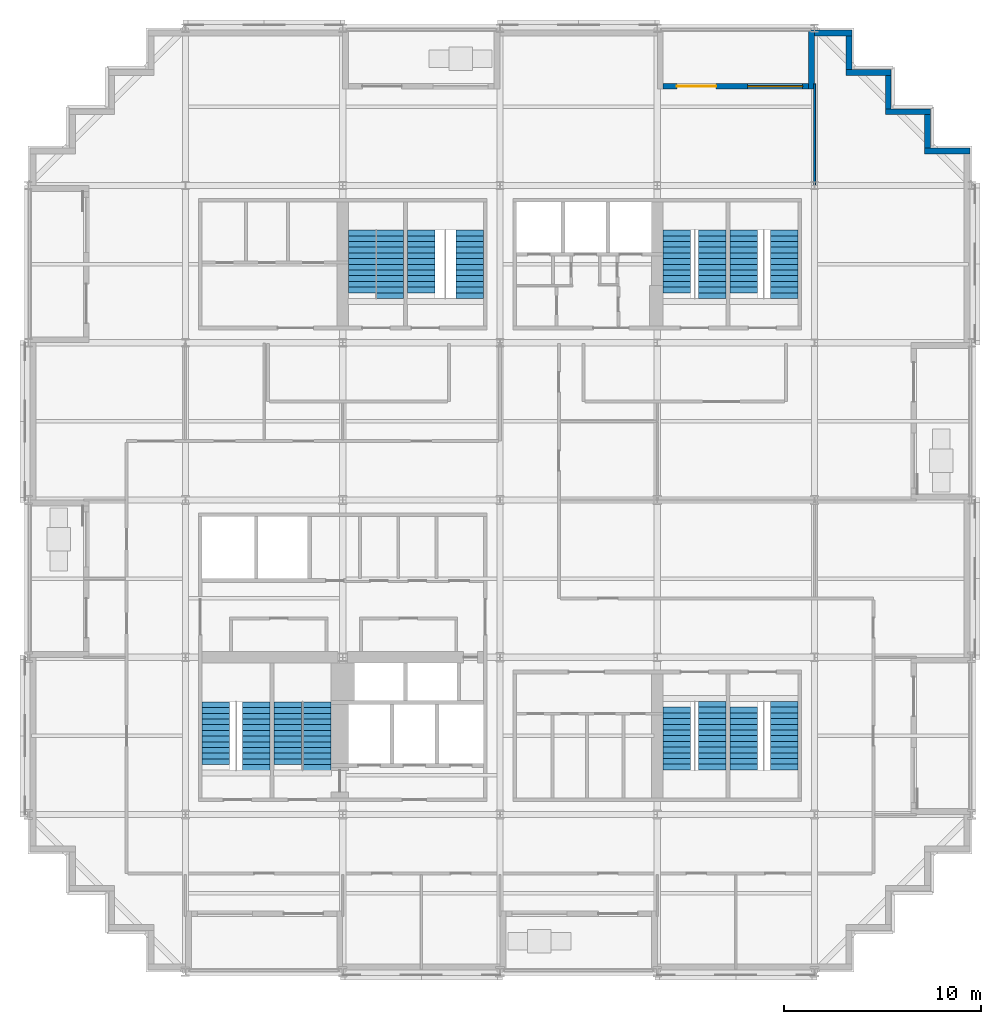
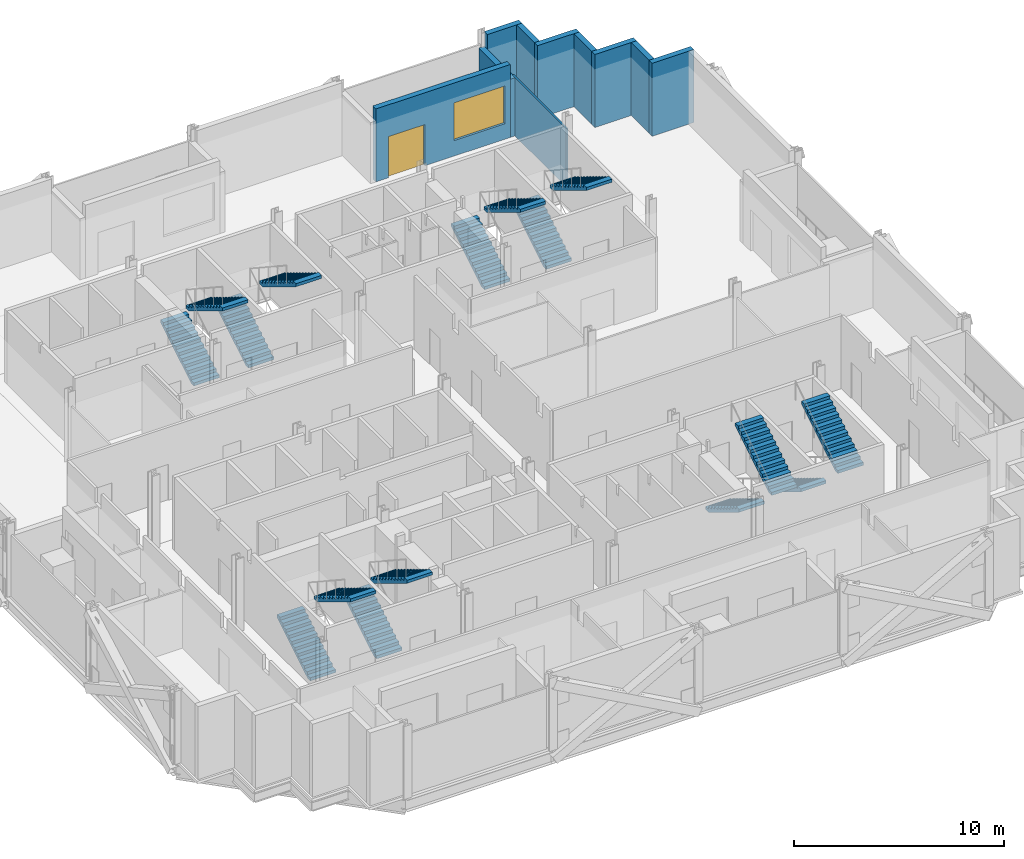
# One storey, part 10 of 14: 16 stair flights, 10 walls, 1 door, 1 window, 2 openings, 8 elements without a shape of their own.
"""IFC4 building model written with IfcOpenShell, lengths in metres."""

from ifc_helpers import new_model, si_unit, direction, frame, frame_2d, origin, place, context, subcontext, project, spatial, polyline, rectangle, outline, extrude, material, layer, layer_set, type_object, element, fill, aggregate, save


model = new_model("IFC4")

# Units and contexts
model_context = context("Model", 3, precision=1e-05, world=origin(), true_north=direction((0.0, 1.0)))
body_context = subcontext(model_context, "Body", "Model", "MODEL_VIEW")
ifc_project = project(units=[si_unit("LENGTHUNIT", "METRE"), si_unit("AREAUNIT", "SQUARE_METRE"), si_unit("VOLUMEUNIT", "CUBIC_METRE"), si_unit("PLANEANGLEUNIT", "RADIAN"), si_unit("MASSUNIT", "GRAM", prefix="KILO")], contexts=[model_context])

# Site, building, storey
site_placement = place(None, origin())
site = spatial("IfcSite", under=ifc_project, at=site_placement, CompositionType="ELEMENT")
building_placement = place(site_placement, origin())
building = spatial("IfcBuilding", under=site, at=building_placement, Name="Immortelle Media Tower", CompositionType="ELEMENT")
storey_placement = place(building_placement, frame((0.0, 0.0, 48.0)))
storey = spatial("IfcBuildingStorey", under=building, at=storey_placement, Name="L07", CompositionType="ELEMENT", Elevation=48.0)

# Walls
ifc_material_1 = material(Name="Pale aluminium cladding panel", Category="aluminium")
ifc_layer_1 = layer(ifc_material_1, 0.030029296875)
ifc_material_2 = material(Name="Steel ASTM A653 SS Gr 50 stud frame with mineral wool", Category="steel")
ifc_layer_2 = layer(ifc_material_2, 0.257568359375)
ifc_material_3 = material(Name="Moisture-resistant gypsum board", Category="gypsum")
ifc_layer_3 = layer(ifc_material_3, 0.012451171875)
ifc_layer_set_1 = layer_set([ifc_layer_1, ifc_layer_2, ifc_layer_3], Name="Steel ASTM A653 SS Gr 50 stud frame with mineral wool")
wall_type_1 = type_object("IfcWallType", Name="Facade wall 300", PredefinedType="SOLIDWALL", material=ifc_layer_set_1)
wall_1_placement = place(storey_placement, frame((47.89990234375, 41.75, 0.0), z_axis=(0.0, 0.0, 1.0), x_axis=(-1.0, 0.0, 0.0)))
element("IfcWall", 1, at=wall_1_placement, inside=storey, type_object=wall_type_1, Name="Facade wall L07 N15", PredefinedType="SOLIDWALL", context=body_context, shape_type="SweptSolid", body=[
    extrude(rectangle(XDim=2.2998046875, YDim=0.300048828125, at=frame_2d((1.14990234375, 0.0))), origin(), (0.0, 0.0, 1.0), 4.25),
])
wall_2_placement = place(storey_placement, frame((45.75, 41.89990234375, 0.0), z_axis=(0.0, 0.0, 1.0), x_axis=(0.0, 1.0, 0.0)))
element("IfcWall", 2, at=wall_2_placement, inside=storey, type_object=wall_type_1, Name="Facade wall L07 E16", PredefinedType="SOLIDWALL", context=body_context, shape_type="SweptSolid", body=[
    extrude(rectangle(XDim=1.7001953125, YDim=0.300048828125, at=frame_2d((0.85009765625, 0.0))), origin(), (0.0, 0.0, 1.0), 4.25),
])
wall_3_placement = place(storey_placement, frame((45.89990234375, 43.75, 0.0), z_axis=(0.0, 0.0, 1.0), x_axis=(-1.0, 0.0, 0.0)))
element("IfcWall", 3, at=wall_3_placement, inside=storey, type_object=wall_type_1, Name="Facade wall L07 N17", PredefinedType="SOLIDWALL", context=body_context, shape_type="SweptSolid", body=[
    extrude(rectangle(XDim=2.2998046875, YDim=0.300048828125, at=frame_2d((1.14990234375, 0.0))), origin(), (0.0, 0.0, 1.0), 4.25),
])
wall_4_placement = place(storey_placement, frame((43.75, 43.89990234375, 0.0), z_axis=(0.0, 0.0, 1.0), x_axis=(0.0, 1.0, 0.0)))
element("IfcWall", 4, at=wall_4_placement, inside=storey, type_object=wall_type_1, Name="Facade wall L07 E18", PredefinedType="SOLIDWALL", context=body_context, shape_type="SweptSolid", body=[
    extrude(rectangle(XDim=1.7001953125, YDim=0.300048828125, at=frame_2d((0.85009765625, 0.0))), origin(), (0.0, 0.0, 1.0), 4.25),
])
wall_5_placement = place(storey_placement, frame((43.89990234375, 45.75, 0.0), z_axis=(0.0, 0.0, 1.0), x_axis=(-1.0, 0.0, 0.0)))
element("IfcWall", 5, at=wall_5_placement, inside=storey, type_object=wall_type_1, Name="Facade wall L07 N19", PredefinedType="SOLIDWALL", context=body_context, shape_type="SweptSolid", body=[
    extrude(rectangle(XDim=2.2998046875, YDim=0.300048828125, at=frame_2d((1.14990234375, 0.0))), origin(), (0.0, 0.0, 1.0), 4.25),
])
wall_6_placement = place(storey_placement, frame((41.75, 45.89990234375, 0.0), z_axis=(0.0, 0.0, 1.0), x_axis=(0.0, 1.0, 0.0)))
element("IfcWall", 6, at=wall_6_placement, inside=storey, type_object=wall_type_1, Name="Facade wall L07 E20", PredefinedType="SOLIDWALL", context=body_context, shape_type="SweptSolid", body=[
    extrude(rectangle(XDim=1.7001953125, YDim=0.300048828125, at=frame_2d((0.85009765625, 0.0))), origin(), (0.0, 0.0, 1.0), 4.25),
])
wall_7_placement = place(storey_placement, frame((41.89990234375, 47.75, 0.0), z_axis=(0.0, 0.0, 1.0), x_axis=(-1.0, 0.0, 0.0)))
element("IfcWall", 7, at=wall_7_placement, inside=storey, type_object=wall_type_1, Name="Facade wall L07 N21", PredefinedType="SOLIDWALL", context=body_context, shape_type="SweptSolid", body=[
    extrude(rectangle(XDim=1.89990234375, YDim=0.300048828125, at=frame_2d((0.949951171875, 0.0))), origin(), (0.0, 0.0, 1.0), 4.25),
])

# Wall, openings, door, window
wall_8_placement = place(storey_placement, frame((39.699951171875, 45.050048828125, 0.0), z_axis=(0.0, 0.0, 1.0), x_axis=(-1.0, 0.0, 0.0)))
wall_8 = element("IfcWall", 8, at=wall_8_placement, inside=storey, type_object=wall_type_1, Name="Loggia wall L07 N21", PredefinedType="SOLIDWALL", context=body_context, shape_type="SweptSolid", body=[
    extrude(rectangle(XDim=7.39990234375, YDim=0.300048828125, at=frame_2d((3.699951171875, 0.0))), origin(), (0.0, 0.0, 1.0), 4.25),
])
opening_1_placement = place(wall_8_placement, frame((0.300048828125, 0.0, 0.89990234375)))
opening_1 = element("IfcOpeningElement", 9, at=opening_1_placement, cuts=wall_8, Name="Opening W1", PredefinedType="OPENING", context=body_context, shape_type="SweptSolid", body=[
    extrude(rectangle(XDim=2.800048828125, YDim=2.199951171875, at=frame_2d((1.39990234375, 1.10009765625))), frame((0.0, 0.159912109375, 0.0), z_axis=(0.0, -1.0, 0.0), x_axis=(1.0, 0.0, 0.0)), (0.0, 0.0, 1.0), 0.320068359375),
])
opening_2_placement = place(wall_8_placement, frame((4.699951171875, 0.0, 0.0)))
opening_2 = element("IfcOpeningElement", 10, at=opening_2_placement, cuts=wall_8, Name="Opening N2-E007", PredefinedType="OPENING", context=body_context, shape_type="SweptSolid", body=[
    extrude(rectangle(XDim=2.0, YDim=2.39990234375, at=frame_2d((1.0, 1.199951171875))), frame((0.0, 0.159912109375, 0.0), z_axis=(0.0, -1.0, 0.0), x_axis=(1.0, 0.0, 0.0)), (0.0, 0.0, 1.0), 0.320068359375),
])
ifc_material_4 = material(Name="Aluminium frame, glazed leaves", Category="aluminium")
door_type = type_object("IfcDoorType", Name="Loggia door 2000 x 2400", OperationType="DOUBLE_DOOR_SINGLE_SWING", PredefinedType="DOOR", material=ifc_material_4)
door_placement = place(opening_2_placement, origin())
door = element("IfcDoor", 11, at=door_placement, inside=storey, type_object=door_type, Name="Door N2-E007", OperationType="DOUBLE_DOOR_SINGLE_SWING", OverallHeight=2.39990234375, OverallWidth=2.0, PredefinedType="DOOR", context=body_context, shape_type="SweptSolid", body=[
    extrude(rectangle(XDim=2.0, YDim=2.39990234375, at=frame_2d((1.0, 1.199951171875))), frame((0.0, 0.02490234375, 0.0), z_axis=(0.0, -1.0, 0.0), x_axis=(1.0, 0.0, 0.0)), (0.0, 0.0, 1.0), 0.050048828125),
])
fill(opening_2, door)
ifc_material_5 = material(Name="Aluminium frame", Category="aluminium")
window_type = type_object("IfcWindowType", Name="Window 2800 x 2200", PartitioningType="SINGLE_PANEL", PredefinedType="WINDOW", material=ifc_material_5)
window_placement = place(opening_1_placement, origin())
window = element("IfcWindow", 12, at=window_placement, inside=storey, type_object=window_type, Name="Window L07 L07-R21-B0", OverallHeight=2.199951171875, OverallWidth=2.800048828125, PartitioningType="SINGLE_PANEL", PredefinedType="WINDOW", context=body_context, shape_type="SweptSolid", body=[
    extrude(rectangle(XDim=2.800048828125, YDim=2.199951171875, at=frame_2d((1.39990234375, 1.10009765625))), frame((0.0, 0.030029296875, 0.0), z_axis=(0.0, -1.0, 0.0), x_axis=(1.0, 0.0, 0.0)), (0.0, 0.0, 1.0), 0.06005859375),
])
fill(opening_1, window)

# Walls
wall_9_placement = place(storey_placement, frame((39.85009765625, 47.89990234375, 0.0), z_axis=(0.0, 0.0, 1.0), x_axis=(0.0, -1.0, 0.0)))
element("IfcWall", 13, at=wall_9_placement, inside=storey, type_object=wall_type_1, Name="Loggia cheek wall L07 N", PredefinedType="SOLIDWALL", context=body_context, shape_type="SweptSolid", body=[
    extrude(rectangle(XDim=3.0, YDim=0.300048828125, at=frame_2d((1.5, 0.0))), origin(), (0.0, 0.0, 1.0), 3.389892578125),
])
ifc_material_6 = material(Name="Gypsum board", Category="gypsum")
ifc_layer_4 = layer(ifc_material_6, 0.012451171875)
ifc_layer_5 = layer(ifc_material_2, 0.074951171875)
ifc_layer_6 = layer(ifc_material_6, 0.012451171875)
ifc_layer_set_2 = layer_set([ifc_layer_4, ifc_layer_5, ifc_layer_6], Name="Steel ASTM A653 SS Gr 50 stud frame with mineral wool")
wall_type_2 = type_object("IfcWallType", Name="Partition 100", PredefinedType="PARTITIONING", material=ifc_layer_set_2)
wall_10_placement = place(storey_placement, frame((40.0, 40.030029296875, 0.0), z_axis=(0.0, 0.0, 1.0), x_axis=(0.0, 1.0, 0.0)))
element("IfcWall", 14, at=wall_10_placement, inside=storey, type_object=wall_type_2, Name="Partition L07-035", PredefinedType="PARTITIONING", context=body_context, shape_type="SweptSolid", body=[
    extrude(rectangle(XDim=5.139892578125, YDim=0.10009765625, at=frame_2d((2.56982421875, 0.0))), origin(), (0.0, 0.0, 1.0), 3.39111328125),
])

# Stair, stair flights
ifc_material_7 = material(Name="Steel ASTM A992 Gr 50", Category="steel")
stair_type = type_object("IfcStairType", Name="Stair with flights", PredefinedType="DOUBLE_RETURN_STAIR", material=ifc_material_7)
stair_1_placement = place(storey_placement, origin())
stair_1 = element("IfcStair", 15, at=stair_1_placement, inside=storey, type_object=stair_type, Name="Exit stair SW1", PredefinedType="DOUBLE_RETURN_STAIR")
stair_flight_type = type_object("IfcStairFlightType", Name="Stair flight 1400", PredefinedType="STRAIGHT", material=ifc_material_7)
stair_flight_1_placement = place(storey_placement, frame((9.550048828125, 10.5400390625, 0.0), z_axis=(0.0, 0.0, 1.0), x_axis=(0.0, 1.0, 0.0)))
stair_flight_1 = element("IfcStairFlight", 16, at=stair_flight_1_placement, type_object=stair_flight_type, Name="ST SW1 flight 1", NumberOfRisers=12, NumberOfTreads=11, PredefinedType="STRAIGHT", RiserHeight=0.176, TreadLength=0.29, context=body_context, shape_type="SweptSolid", body=[
    extrude(outline(polyline([(0.0, 0.0), (0.0, 0.176025390625), (0.2900390625, 0.176025390625), (0.2900390625, 0.35205078125), (0.580078125, 0.35205078125), (0.580078125, 0.528076171875), (0.8701171875, 0.528076171875), (0.8701171875, 0.7041015625), (1.159912109375, 0.7041015625), (1.159912109375, 0.8798828125), (1.449951171875, 0.8798828125), (1.449951171875, 1.055908203125), (1.739990234375, 1.055908203125), (1.739990234375, 1.23193359375), (2.030029296875, 1.23193359375), (2.030029296875, 1.407958984375), (2.320068359375, 1.407958984375), (2.320068359375, 1.583984375), (2.610107421875, 1.583984375), (2.610107421875, 1.760009765625), (2.89990234375, 1.760009765625), (2.89990234375, 1.93603515625), (3.18994140625, 1.93603515625), (3.18994140625, 2.112060546875), (3.18994140625, 1.7607421875), (0.288818359375, 0.0), (0.0, 0.0)])), frame((0.0, 0.699951171875, 0.0), z_axis=(0.0, -1.0, 0.0), x_axis=(1.0, 0.0, 0.0)), (0.0, 0.0, 1.0), 1.39990234375),
])
stair_flight_2_placement = place(storey_placement, frame((11.60009765625, 13.72998046875, 2.112060546875), z_axis=(0.0, 0.0, 1.0), x_axis=(0.0, -1.0, 0.0)))
stair_flight_2 = element("IfcStairFlight", 17, at=stair_flight_2_placement, type_object=stair_flight_type, Name="ST SW1 flight 2", NumberOfRisers=13, NumberOfTreads=12, PredefinedType="STRAIGHT", RiserHeight=0.176, TreadLength=0.29, context=body_context, shape_type="SweptSolid", body=[
    extrude(outline(polyline([(0.0, 0.0), (0.0, 0.176025390625), (0.2900390625, 0.176025390625), (0.2900390625, 0.35205078125), (0.580078125, 0.35205078125), (0.580078125, 0.528076171875), (0.8701171875, 0.528076171875), (0.8701171875, 0.7041015625), (1.159912109375, 0.7041015625), (1.159912109375, 0.8798828125), (1.449951171875, 0.8798828125), (1.449951171875, 1.055908203125), (1.739990234375, 1.055908203125), (1.739990234375, 1.23193359375), (2.030029296875, 1.23193359375), (2.030029296875, 1.407958984375), (2.320068359375, 1.407958984375), (2.320068359375, 1.583984375), (2.610107421875, 1.583984375), (2.610107421875, 1.760009765625), (2.89990234375, 1.760009765625), (2.89990234375, 1.93603515625), (3.18994140625, 1.93603515625), (3.18994140625, 2.112060546875), (3.47998046875, 2.112060546875), (3.47998046875, 2.2880859375), (3.47998046875, 1.936767578125), (0.288818359375, 0.0), (0.0, 0.0)])), frame((0.0, 0.699951171875, 0.0), z_axis=(0.0, -1.0, 0.0), x_axis=(1.0, 0.0, 0.0)), (0.0, 0.0, 1.0), 1.39990234375),
])
aggregate(stair_1, [stair_flight_1, stair_flight_2])

stair_2_placement = place(storey_placement, origin())
stair_2 = element("IfcStair", 18, at=stair_2_placement, inside=storey, type_object=stair_type, Name="Exit stair SW2", PredefinedType="DOUBLE_RETURN_STAIR")
stair_flight_3_placement = place(storey_placement, frame((13.199951171875, 10.5400390625, 0.0), z_axis=(0.0, 0.0, 1.0), x_axis=(0.0, 1.0, 0.0)))
stair_flight_3 = element("IfcStairFlight", 19, at=stair_flight_3_placement, type_object=stair_flight_type, Name="ST SW2 flight 1", NumberOfRisers=12, NumberOfTreads=11, PredefinedType="STRAIGHT", RiserHeight=0.176, TreadLength=0.29, context=body_context, shape_type="SweptSolid", body=[
    extrude(outline(polyline([(0.0, 0.0), (0.0, 0.176025390625), (0.2900390625, 0.176025390625), (0.2900390625, 0.35205078125), (0.580078125, 0.35205078125), (0.580078125, 0.528076171875), (0.8701171875, 0.528076171875), (0.8701171875, 0.7041015625), (1.159912109375, 0.7041015625), (1.159912109375, 0.8798828125), (1.449951171875, 0.8798828125), (1.449951171875, 1.055908203125), (1.739990234375, 1.055908203125), (1.739990234375, 1.23193359375), (2.030029296875, 1.23193359375), (2.030029296875, 1.407958984375), (2.320068359375, 1.407958984375), (2.320068359375, 1.583984375), (2.610107421875, 1.583984375), (2.610107421875, 1.760009765625), (2.89990234375, 1.760009765625), (2.89990234375, 1.93603515625), (3.18994140625, 1.93603515625), (3.18994140625, 2.112060546875), (3.18994140625, 1.7607421875), (0.288818359375, 0.0), (0.0, 0.0)])), frame((0.0, 0.699951171875, 0.0), z_axis=(0.0, -1.0, 0.0), x_axis=(1.0, 0.0, 0.0)), (0.0, 0.0, 1.0), 1.39990234375),
])
stair_flight_4_placement = place(storey_placement, frame((14.699951171875, 13.72998046875, 2.112060546875), z_axis=(0.0, 0.0, 1.0), x_axis=(0.0, -1.0, 0.0)))
stair_flight_4 = element("IfcStairFlight", 20, at=stair_flight_4_placement, type_object=stair_flight_type, Name="ST SW2 flight 2", NumberOfRisers=13, NumberOfTreads=12, PredefinedType="STRAIGHT", RiserHeight=0.176, TreadLength=0.29, context=body_context, shape_type="SweptSolid", body=[
    extrude(outline(polyline([(0.0, 0.0), (0.0, 0.176025390625), (0.2900390625, 0.176025390625), (0.2900390625, 0.35205078125), (0.580078125, 0.35205078125), (0.580078125, 0.528076171875), (0.8701171875, 0.528076171875), (0.8701171875, 0.7041015625), (1.159912109375, 0.7041015625), (1.159912109375, 0.8798828125), (1.449951171875, 0.8798828125), (1.449951171875, 1.055908203125), (1.739990234375, 1.055908203125), (1.739990234375, 1.23193359375), (2.030029296875, 1.23193359375), (2.030029296875, 1.407958984375), (2.320068359375, 1.407958984375), (2.320068359375, 1.583984375), (2.610107421875, 1.583984375), (2.610107421875, 1.760009765625), (2.89990234375, 1.760009765625), (2.89990234375, 1.93603515625), (3.18994140625, 1.93603515625), (3.18994140625, 2.112060546875), (3.47998046875, 2.112060546875), (3.47998046875, 2.2880859375), (3.47998046875, 1.936767578125), (0.288818359375, 0.0), (0.0, 0.0)])), frame((0.0, 0.699951171875, 0.0), z_axis=(0.0, -1.0, 0.0), x_axis=(1.0, 0.0, 0.0)), (0.0, 0.0, 1.0), 1.39990234375),
])
aggregate(stair_2, [stair_flight_3, stair_flight_4])

stair_3_placement = place(storey_placement, origin())
stair_3 = element("IfcStair", 21, at=stair_3_placement, inside=storey, type_object=stair_type, Name="Exit stair SE1", PredefinedType="DOUBLE_RETURN_STAIR")
stair_flight_5_placement = place(storey_placement, frame((33.0, 13.4599609375, 0.0), z_axis=(0.0, 0.0, 1.0), x_axis=(0.0, -1.0, 0.0)))
stair_flight_5 = element("IfcStairFlight", 22, at=stair_flight_5_placement, type_object=stair_flight_type, Name="ST SE1 flight 1", NumberOfRisers=12, NumberOfTreads=11, PredefinedType="STRAIGHT", RiserHeight=0.176, TreadLength=0.29, context=body_context, shape_type="SweptSolid", body=[
    extrude(outline(polyline([(0.0, 0.0), (0.0, 0.176025390625), (0.2900390625, 0.176025390625), (0.2900390625, 0.35205078125), (0.580078125, 0.35205078125), (0.580078125, 0.528076171875), (0.8701171875, 0.528076171875), (0.8701171875, 0.7041015625), (1.159912109375, 0.7041015625), (1.159912109375, 0.8798828125), (1.449951171875, 0.8798828125), (1.449951171875, 1.055908203125), (1.739990234375, 1.055908203125), (1.739990234375, 1.23193359375), (2.030029296875, 1.23193359375), (2.030029296875, 1.407958984375), (2.320068359375, 1.407958984375), (2.320068359375, 1.583984375), (2.610107421875, 1.583984375), (2.610107421875, 1.760009765625), (2.89990234375, 1.760009765625), (2.89990234375, 1.93603515625), (3.18994140625, 1.93603515625), (3.18994140625, 2.112060546875), (3.18994140625, 1.7607421875), (0.288818359375, 0.0), (0.0, 0.0)])), frame((0.0, 0.699951171875, 0.0), z_axis=(0.0, -1.0, 0.0), x_axis=(1.0, 0.0, 0.0)), (0.0, 0.0, 1.0), 1.39990234375),
])
stair_flight_6_placement = place(storey_placement, frame((34.800048828125, 10.27001953125, 2.112060546875), z_axis=(0.0, 0.0, 1.0), x_axis=(0.0, 1.0, 0.0)))
stair_flight_6 = element("IfcStairFlight", 23, at=stair_flight_6_placement, type_object=stair_flight_type, Name="ST SE1 flight 2", NumberOfRisers=13, NumberOfTreads=12, PredefinedType="STRAIGHT", RiserHeight=0.176, TreadLength=0.29, context=body_context, shape_type="SweptSolid", body=[
    extrude(outline(polyline([(0.0, 0.0), (0.0, 0.176025390625), (0.2900390625, 0.176025390625), (0.2900390625, 0.35205078125), (0.580078125, 0.35205078125), (0.580078125, 0.528076171875), (0.8701171875, 0.528076171875), (0.8701171875, 0.7041015625), (1.159912109375, 0.7041015625), (1.159912109375, 0.8798828125), (1.449951171875, 0.8798828125), (1.449951171875, 1.055908203125), (1.739990234375, 1.055908203125), (1.739990234375, 1.23193359375), (2.030029296875, 1.23193359375), (2.030029296875, 1.407958984375), (2.320068359375, 1.407958984375), (2.320068359375, 1.583984375), (2.610107421875, 1.583984375), (2.610107421875, 1.760009765625), (2.89990234375, 1.760009765625), (2.89990234375, 1.93603515625), (3.18994140625, 1.93603515625), (3.18994140625, 2.112060546875), (3.47998046875, 2.112060546875), (3.47998046875, 2.2880859375), (3.47998046875, 1.936767578125), (0.288818359375, 0.0), (0.0, 0.0)])), frame((0.0, 0.699951171875, 0.0), z_axis=(0.0, -1.0, 0.0), x_axis=(1.0, 0.0, 0.0)), (0.0, 0.0, 1.0), 1.39990234375),
])
aggregate(stair_3, [stair_flight_5, stair_flight_6])

stair_4_placement = place(storey_placement, origin())
stair_4 = element("IfcStair", 24, at=stair_4_placement, inside=storey, type_object=stair_type, Name="Exit stair SE2", PredefinedType="DOUBLE_RETURN_STAIR")
stair_flight_7_placement = place(storey_placement, frame((36.39990234375, 13.4599609375, 0.0), z_axis=(0.0, 0.0, 1.0), x_axis=(0.0, -1.0, 0.0)))
stair_flight_7 = element("IfcStairFlight", 25, at=stair_flight_7_placement, type_object=stair_flight_type, Name="ST SE2 flight 1", NumberOfRisers=12, NumberOfTreads=11, PredefinedType="STRAIGHT", RiserHeight=0.176, TreadLength=0.29, context=body_context, shape_type="SweptSolid", body=[
    extrude(outline(polyline([(0.0, 0.0), (0.0, 0.176025390625), (0.2900390625, 0.176025390625), (0.2900390625, 0.35205078125), (0.580078125, 0.35205078125), (0.580078125, 0.528076171875), (0.8701171875, 0.528076171875), (0.8701171875, 0.7041015625), (1.159912109375, 0.7041015625), (1.159912109375, 0.8798828125), (1.449951171875, 0.8798828125), (1.449951171875, 1.055908203125), (1.739990234375, 1.055908203125), (1.739990234375, 1.23193359375), (2.030029296875, 1.23193359375), (2.030029296875, 1.407958984375), (2.320068359375, 1.407958984375), (2.320068359375, 1.583984375), (2.610107421875, 1.583984375), (2.610107421875, 1.760009765625), (2.89990234375, 1.760009765625), (2.89990234375, 1.93603515625), (3.18994140625, 1.93603515625), (3.18994140625, 2.112060546875), (3.18994140625, 1.7607421875), (0.288818359375, 0.0), (0.0, 0.0)])), frame((0.0, 0.699951171875, 0.0), z_axis=(0.0, -1.0, 0.0), x_axis=(1.0, 0.0, 0.0)), (0.0, 0.0, 1.0), 1.39990234375),
])
stair_flight_8_placement = place(storey_placement, frame((38.449951171875, 10.27001953125, 2.112060546875), z_axis=(0.0, 0.0, 1.0), x_axis=(0.0, 1.0, 0.0)))
stair_flight_8 = element("IfcStairFlight", 26, at=stair_flight_8_placement, type_object=stair_flight_type, Name="ST SE2 flight 2", NumberOfRisers=13, NumberOfTreads=12, PredefinedType="STRAIGHT", RiserHeight=0.176, TreadLength=0.29, context=body_context, shape_type="SweptSolid", body=[
    extrude(outline(polyline([(0.0, 0.0), (0.0, 0.176025390625), (0.2900390625, 0.176025390625), (0.2900390625, 0.35205078125), (0.580078125, 0.35205078125), (0.580078125, 0.528076171875), (0.8701171875, 0.528076171875), (0.8701171875, 0.7041015625), (1.159912109375, 0.7041015625), (1.159912109375, 0.8798828125), (1.449951171875, 0.8798828125), (1.449951171875, 1.055908203125), (1.739990234375, 1.055908203125), (1.739990234375, 1.23193359375), (2.030029296875, 1.23193359375), (2.030029296875, 1.407958984375), (2.320068359375, 1.407958984375), (2.320068359375, 1.583984375), (2.610107421875, 1.583984375), (2.610107421875, 1.760009765625), (2.89990234375, 1.760009765625), (2.89990234375, 1.93603515625), (3.18994140625, 1.93603515625), (3.18994140625, 2.112060546875), (3.47998046875, 2.112060546875), (3.47998046875, 2.2880859375), (3.47998046875, 1.936767578125), (0.288818359375, 0.0), (0.0, 0.0)])), frame((0.0, 0.699951171875, 0.0), z_axis=(0.0, -1.0, 0.0), x_axis=(1.0, 0.0, 0.0)), (0.0, 0.0, 1.0), 1.39990234375),
])
aggregate(stair_4, [stair_flight_7, stair_flight_8])

stair_5_placement = place(storey_placement, origin())
stair_5 = element("IfcStair", 27, at=stair_5_placement, inside=storey, type_object=stair_type, Name="Exit stair NW1", PredefinedType="DOUBLE_RETURN_STAIR")
stair_flight_9_placement = place(storey_placement, frame((17.0, 34.5400390625, 0.0), z_axis=(0.0, 0.0, 1.0), x_axis=(0.0, 1.0, 0.0)))
stair_flight_9 = element("IfcStairFlight", 28, at=stair_flight_9_placement, type_object=stair_flight_type, Name="ST NW1 flight 1", NumberOfRisers=12, NumberOfTreads=11, PredefinedType="STRAIGHT", RiserHeight=0.176, TreadLength=0.29, context=body_context, shape_type="SweptSolid", body=[
    extrude(outline(polyline([(0.0, 0.0), (0.0, 0.176025390625), (0.2900390625, 0.176025390625), (0.2900390625, 0.35205078125), (0.580078125, 0.35205078125), (0.580078125, 0.528076171875), (0.8701171875, 0.528076171875), (0.8701171875, 0.7041015625), (1.159912109375, 0.7041015625), (1.159912109375, 0.8798828125), (1.449951171875, 0.8798828125), (1.449951171875, 1.055908203125), (1.739990234375, 1.055908203125), (1.739990234375, 1.23193359375), (2.030029296875, 1.23193359375), (2.030029296875, 1.407958984375), (2.320068359375, 1.407958984375), (2.320068359375, 1.583984375), (2.610107421875, 1.583984375), (2.610107421875, 1.760009765625), (2.89990234375, 1.760009765625), (2.89990234375, 1.93603515625), (3.18994140625, 1.93603515625), (3.18994140625, 2.112060546875), (3.18994140625, 1.7607421875), (0.288818359375, 0.0), (0.0, 0.0)])), frame((0.0, 0.699951171875, 0.0), z_axis=(0.0, -1.0, 0.0), x_axis=(1.0, 0.0, 0.0)), (0.0, 0.0, 1.0), 1.39990234375),
])
stair_flight_10_placement = place(storey_placement, frame((18.39990234375, 37.72998046875, 2.112060546875), z_axis=(0.0, 0.0, 1.0), x_axis=(0.0, -1.0, 0.0)))
stair_flight_10 = element("IfcStairFlight", 29, at=stair_flight_10_placement, type_object=stair_flight_type, Name="ST NW1 flight 2", NumberOfRisers=13, NumberOfTreads=12, PredefinedType="STRAIGHT", RiserHeight=0.176, TreadLength=0.29, context=body_context, shape_type="SweptSolid", body=[
    extrude(outline(polyline([(0.0, 0.0), (0.0, 0.176025390625), (0.2900390625, 0.176025390625), (0.2900390625, 0.35205078125), (0.580078125, 0.35205078125), (0.580078125, 0.528076171875), (0.8701171875, 0.528076171875), (0.8701171875, 0.7041015625), (1.159912109375, 0.7041015625), (1.159912109375, 0.8798828125), (1.449951171875, 0.8798828125), (1.449951171875, 1.055908203125), (1.739990234375, 1.055908203125), (1.739990234375, 1.23193359375), (2.030029296875, 1.23193359375), (2.030029296875, 1.407958984375), (2.320068359375, 1.407958984375), (2.320068359375, 1.583984375), (2.610107421875, 1.583984375), (2.610107421875, 1.760009765625), (2.89990234375, 1.760009765625), (2.89990234375, 1.93603515625), (3.18994140625, 1.93603515625), (3.18994140625, 2.112060546875), (3.47998046875, 2.112060546875), (3.47998046875, 2.2880859375), (3.47998046875, 1.936767578125), (0.288818359375, 0.0), (0.0, 0.0)])), frame((0.0, 0.699951171875, 0.0), z_axis=(0.0, -1.0, 0.0), x_axis=(1.0, 0.0, 0.0)), (0.0, 0.0, 1.0), 1.39990234375),
])
aggregate(stair_5, [stair_flight_9, stair_flight_10])

stair_6_placement = place(storey_placement, origin())
stair_6 = element("IfcStair", 30, at=stair_6_placement, inside=storey, type_object=stair_type, Name="Exit stair NW2", PredefinedType="DOUBLE_RETURN_STAIR")
stair_flight_11_placement = place(storey_placement, frame((20.0, 34.5400390625, 0.0), z_axis=(0.0, 0.0, 1.0), x_axis=(0.0, 1.0, 0.0)))
stair_flight_11 = element("IfcStairFlight", 31, at=stair_flight_11_placement, type_object=stair_flight_type, Name="ST NW2 flight 1", NumberOfRisers=12, NumberOfTreads=11, PredefinedType="STRAIGHT", RiserHeight=0.176, TreadLength=0.29, context=body_context, shape_type="SweptSolid", body=[
    extrude(outline(polyline([(0.0, 0.0), (0.0, 0.176025390625), (0.2900390625, 0.176025390625), (0.2900390625, 0.35205078125), (0.580078125, 0.35205078125), (0.580078125, 0.528076171875), (0.8701171875, 0.528076171875), (0.8701171875, 0.7041015625), (1.159912109375, 0.7041015625), (1.159912109375, 0.8798828125), (1.449951171875, 0.8798828125), (1.449951171875, 1.055908203125), (1.739990234375, 1.055908203125), (1.739990234375, 1.23193359375), (2.030029296875, 1.23193359375), (2.030029296875, 1.407958984375), (2.320068359375, 1.407958984375), (2.320068359375, 1.583984375), (2.610107421875, 1.583984375), (2.610107421875, 1.760009765625), (2.89990234375, 1.760009765625), (2.89990234375, 1.93603515625), (3.18994140625, 1.93603515625), (3.18994140625, 2.112060546875), (3.18994140625, 1.7607421875), (0.288818359375, 0.0), (0.0, 0.0)])), frame((0.0, 0.699951171875, 0.0), z_axis=(0.0, -1.0, 0.0), x_axis=(1.0, 0.0, 0.0)), (0.0, 0.0, 1.0), 1.39990234375),
])
stair_flight_12_placement = place(storey_placement, frame((22.449951171875, 37.72998046875, 2.112060546875), z_axis=(0.0, 0.0, 1.0), x_axis=(0.0, -1.0, 0.0)))
stair_flight_12 = element("IfcStairFlight", 32, at=stair_flight_12_placement, type_object=stair_flight_type, Name="ST NW2 flight 2", NumberOfRisers=13, NumberOfTreads=12, PredefinedType="STRAIGHT", RiserHeight=0.176, TreadLength=0.29, context=body_context, shape_type="SweptSolid", body=[
    extrude(outline(polyline([(0.0, 0.0), (0.0, 0.176025390625), (0.2900390625, 0.176025390625), (0.2900390625, 0.35205078125), (0.580078125, 0.35205078125), (0.580078125, 0.528076171875), (0.8701171875, 0.528076171875), (0.8701171875, 0.7041015625), (1.159912109375, 0.7041015625), (1.159912109375, 0.8798828125), (1.449951171875, 0.8798828125), (1.449951171875, 1.055908203125), (1.739990234375, 1.055908203125), (1.739990234375, 1.23193359375), (2.030029296875, 1.23193359375), (2.030029296875, 1.407958984375), (2.320068359375, 1.407958984375), (2.320068359375, 1.583984375), (2.610107421875, 1.583984375), (2.610107421875, 1.760009765625), (2.89990234375, 1.760009765625), (2.89990234375, 1.93603515625), (3.18994140625, 1.93603515625), (3.18994140625, 2.112060546875), (3.47998046875, 2.112060546875), (3.47998046875, 2.2880859375), (3.47998046875, 1.936767578125), (0.288818359375, 0.0), (0.0, 0.0)])), frame((0.0, 0.699951171875, 0.0), z_axis=(0.0, -1.0, 0.0), x_axis=(1.0, 0.0, 0.0)), (0.0, 0.0, 1.0), 1.39990234375),
])
aggregate(stair_6, [stair_flight_11, stair_flight_12])

stair_7_placement = place(storey_placement, origin())
stair_7 = element("IfcStair", 33, at=stair_7_placement, inside=storey, type_object=stair_type, Name="Exit stair NE1", PredefinedType="DOUBLE_RETURN_STAIR")
stair_flight_13_placement = place(storey_placement, frame((33.0, 34.5400390625, 0.0), z_axis=(0.0, 0.0, 1.0), x_axis=(0.0, 1.0, 0.0)))
stair_flight_13 = element("IfcStairFlight", 34, at=stair_flight_13_placement, type_object=stair_flight_type, Name="ST NE1 flight 1", NumberOfRisers=12, NumberOfTreads=11, PredefinedType="STRAIGHT", RiserHeight=0.176, TreadLength=0.29, context=body_context, shape_type="SweptSolid", body=[
    extrude(outline(polyline([(0.0, 0.0), (0.0, 0.176025390625), (0.2900390625, 0.176025390625), (0.2900390625, 0.35205078125), (0.580078125, 0.35205078125), (0.580078125, 0.528076171875), (0.8701171875, 0.528076171875), (0.8701171875, 0.7041015625), (1.159912109375, 0.7041015625), (1.159912109375, 0.8798828125), (1.449951171875, 0.8798828125), (1.449951171875, 1.055908203125), (1.739990234375, 1.055908203125), (1.739990234375, 1.23193359375), (2.030029296875, 1.23193359375), (2.030029296875, 1.407958984375), (2.320068359375, 1.407958984375), (2.320068359375, 1.583984375), (2.610107421875, 1.583984375), (2.610107421875, 1.760009765625), (2.89990234375, 1.760009765625), (2.89990234375, 1.93603515625), (3.18994140625, 1.93603515625), (3.18994140625, 2.112060546875), (3.18994140625, 1.7607421875), (0.288818359375, 0.0), (0.0, 0.0)])), frame((0.0, 0.699951171875, 0.0), z_axis=(0.0, -1.0, 0.0), x_axis=(1.0, 0.0, 0.0)), (0.0, 0.0, 1.0), 1.39990234375),
])
stair_flight_14_placement = place(storey_placement, frame((34.800048828125, 37.72998046875, 2.112060546875), z_axis=(0.0, 0.0, 1.0), x_axis=(0.0, -1.0, 0.0)))
stair_flight_14 = element("IfcStairFlight", 35, at=stair_flight_14_placement, type_object=stair_flight_type, Name="ST NE1 flight 2", NumberOfRisers=13, NumberOfTreads=12, PredefinedType="STRAIGHT", RiserHeight=0.176, TreadLength=0.29, context=body_context, shape_type="SweptSolid", body=[
    extrude(outline(polyline([(0.0, 0.0), (0.0, 0.176025390625), (0.2900390625, 0.176025390625), (0.2900390625, 0.35205078125), (0.580078125, 0.35205078125), (0.580078125, 0.528076171875), (0.8701171875, 0.528076171875), (0.8701171875, 0.7041015625), (1.159912109375, 0.7041015625), (1.159912109375, 0.8798828125), (1.449951171875, 0.8798828125), (1.449951171875, 1.055908203125), (1.739990234375, 1.055908203125), (1.739990234375, 1.23193359375), (2.030029296875, 1.23193359375), (2.030029296875, 1.407958984375), (2.320068359375, 1.407958984375), (2.320068359375, 1.583984375), (2.610107421875, 1.583984375), (2.610107421875, 1.760009765625), (2.89990234375, 1.760009765625), (2.89990234375, 1.93603515625), (3.18994140625, 1.93603515625), (3.18994140625, 2.112060546875), (3.47998046875, 2.112060546875), (3.47998046875, 2.2880859375), (3.47998046875, 1.936767578125), (0.288818359375, 0.0), (0.0, 0.0)])), frame((0.0, 0.699951171875, 0.0), z_axis=(0.0, -1.0, 0.0), x_axis=(1.0, 0.0, 0.0)), (0.0, 0.0, 1.0), 1.39990234375),
])
aggregate(stair_7, [stair_flight_13, stair_flight_14])

stair_8_placement = place(storey_placement, origin())
stair_8 = element("IfcStair", 36, at=stair_8_placement, inside=storey, type_object=stair_type, Name="Exit stair NE2", PredefinedType="DOUBLE_RETURN_STAIR")
stair_flight_15_placement = place(storey_placement, frame((36.39990234375, 34.5400390625, 0.0), z_axis=(0.0, 0.0, 1.0), x_axis=(0.0, 1.0, 0.0)))
stair_flight_15 = element("IfcStairFlight", 37, at=stair_flight_15_placement, type_object=stair_flight_type, Name="ST NE2 flight 1", NumberOfRisers=12, NumberOfTreads=11, PredefinedType="STRAIGHT", RiserHeight=0.176, TreadLength=0.29, context=body_context, shape_type="SweptSolid", body=[
    extrude(outline(polyline([(0.0, 0.0), (0.0, 0.176025390625), (0.2900390625, 0.176025390625), (0.2900390625, 0.35205078125), (0.580078125, 0.35205078125), (0.580078125, 0.528076171875), (0.8701171875, 0.528076171875), (0.8701171875, 0.7041015625), (1.159912109375, 0.7041015625), (1.159912109375, 0.8798828125), (1.449951171875, 0.8798828125), (1.449951171875, 1.055908203125), (1.739990234375, 1.055908203125), (1.739990234375, 1.23193359375), (2.030029296875, 1.23193359375), (2.030029296875, 1.407958984375), (2.320068359375, 1.407958984375), (2.320068359375, 1.583984375), (2.610107421875, 1.583984375), (2.610107421875, 1.760009765625), (2.89990234375, 1.760009765625), (2.89990234375, 1.93603515625), (3.18994140625, 1.93603515625), (3.18994140625, 2.112060546875), (3.18994140625, 1.7607421875), (0.288818359375, 0.0), (0.0, 0.0)])), frame((0.0, 0.699951171875, 0.0), z_axis=(0.0, -1.0, 0.0), x_axis=(1.0, 0.0, 0.0)), (0.0, 0.0, 1.0), 1.39990234375),
])
stair_flight_16_placement = place(storey_placement, frame((38.449951171875, 37.72998046875, 2.112060546875), z_axis=(0.0, 0.0, 1.0), x_axis=(0.0, -1.0, 0.0)))
stair_flight_16 = element("IfcStairFlight", 38, at=stair_flight_16_placement, type_object=stair_flight_type, Name="ST NE2 flight 2", NumberOfRisers=13, NumberOfTreads=12, PredefinedType="STRAIGHT", RiserHeight=0.176, TreadLength=0.29, context=body_context, shape_type="SweptSolid", body=[
    extrude(outline(polyline([(0.0, 0.0), (0.0, 0.176025390625), (0.2900390625, 0.176025390625), (0.2900390625, 0.35205078125), (0.580078125, 0.35205078125), (0.580078125, 0.528076171875), (0.8701171875, 0.528076171875), (0.8701171875, 0.7041015625), (1.159912109375, 0.7041015625), (1.159912109375, 0.8798828125), (1.449951171875, 0.8798828125), (1.449951171875, 1.055908203125), (1.739990234375, 1.055908203125), (1.739990234375, 1.23193359375), (2.030029296875, 1.23193359375), (2.030029296875, 1.407958984375), (2.320068359375, 1.407958984375), (2.320068359375, 1.583984375), (2.610107421875, 1.583984375), (2.610107421875, 1.760009765625), (2.89990234375, 1.760009765625), (2.89990234375, 1.93603515625), (3.18994140625, 1.93603515625), (3.18994140625, 2.112060546875), (3.47998046875, 2.112060546875), (3.47998046875, 2.2880859375), (3.47998046875, 1.936767578125), (0.288818359375, 0.0), (0.0, 0.0)])), frame((0.0, 0.699951171875, 0.0), z_axis=(0.0, -1.0, 0.0), x_axis=(1.0, 0.0, 0.0)), (0.0, 0.0, 1.0), 1.39990234375),
])
aggregate(stair_8, [stair_flight_15, stair_flight_16])

save(model, "model.ifc")
